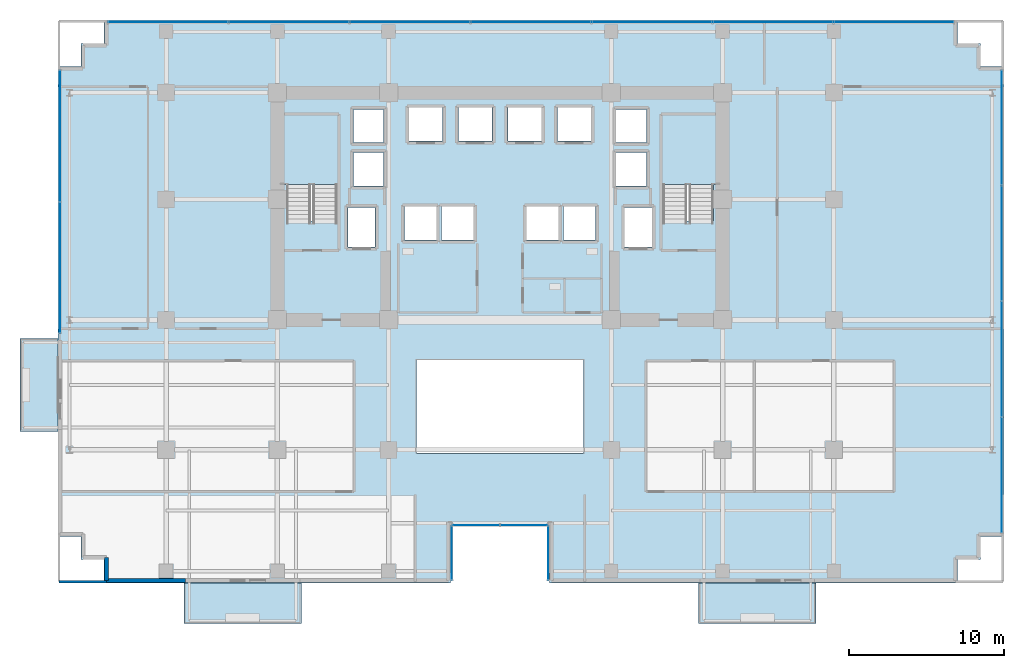
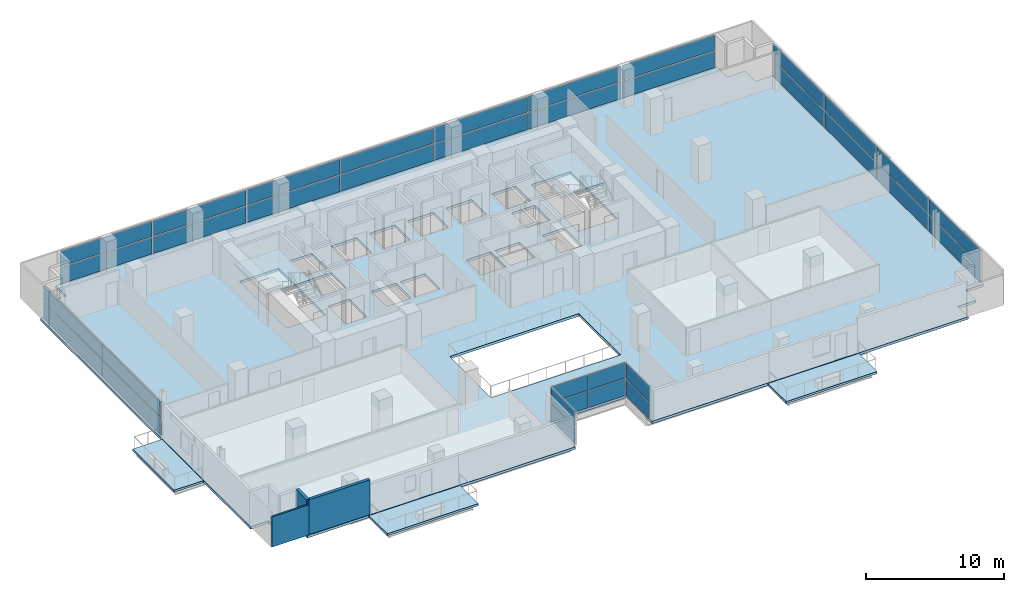
# One storey, part 23 of 31: 34 plates, 6 slabs, 3 walls, 8 elements without a shape of their own.
"""IFC4 building model written with IfcOpenShell, lengths in metres."""

from ifc_helpers import new_model, si_unit, direction, frame, frame_2d, origin, origin_2d, place, context, subcontext, project, spatial, polyline, rectangle, outline, extrude, source, transform, mapped, material, layer, layer_set, type_object, element, aggregate, save


model = new_model("IFC4")

# Units and contexts
model_context = context("Model", 3, precision=1e-05, world=origin(), true_north=direction((0.0, 1.0)))
body_context = subcontext(model_context, "Body", "Model", "MODEL_VIEW")
ifc_project = project(units=[si_unit("LENGTHUNIT", "METRE"), si_unit("AREAUNIT", "SQUARE_METRE"), si_unit("VOLUMEUNIT", "CUBIC_METRE"), si_unit("PLANEANGLEUNIT", "RADIAN"), si_unit("MASSUNIT", "GRAM", prefix="KILO")], contexts=[model_context])

# Site, building, storey
site_placement = place(None, origin())
site = spatial("IfcSite", under=ifc_project, at=site_placement, CompositionType="ELEMENT")
building_placement = place(site_placement, origin())
building = spatial("IfcBuilding", under=site, at=building_placement, Name="Zarnakvel Exchange Tower", CompositionType="ELEMENT")
storey_placement = place(building_placement, frame((0.0, 0.0, 60.39990234375)))
storey = spatial("IfcBuildingStorey", under=building, at=storey_placement, Name="L16", CompositionType="ELEMENT", Elevation=60.39990234375)

# Stair, slab
ifc_material_1 = material(Name="Concrete C40/50", Category="concrete")
stair_type = type_object("IfcStairType", Name="STR-01", PredefinedType="HALF_TURN_STAIR", material=ifc_material_1)
stair_1_placement = place(storey_placement, origin())
stair_1 = element("IfcStair", 1, at=stair_1_placement, inside=storey, type_object=stair_type, Name="L16 Protected Core Exit Stair ST-01", PredefinedType="HALF_TURN_STAIR")
ifc_layer_1 = layer(ifc_material_1, 0.199951171875)
ifc_layer_set_1 = layer_set([ifc_layer_1], Name="Concrete C40/50")
slab_type_1 = type_object("IfcSlabType", Name="LDG-01", PredefinedType="LANDING", material=ifc_layer_set_1)
slab_1_placement = place(storey_placement, frame((0.0, 0.0, 1.4501953125)))
slab_1 = element("IfcSlab", 2, at=slab_1_placement, type_object=slab_type_1, Name="ST-01 landing 1", PredefinedType="LANDING", context=body_context, shape_type="SweptSolid", body=[
    extrude(outline(polyline([(-14.18994140625, 7.570068359375), (-10.4599609375, 7.570068359375), (-10.4599609375, 12.080078125), (-14.18994140625, 12.080078125), (-14.18994140625, 7.570068359375)])), origin(), (0.0, 0.0, 1.0), 0.199951171875),
])
aggregate(stair_1, [slab_1])

stair_2_placement = place(storey_placement, origin())
stair_2 = element("IfcStair", 3, at=stair_2_placement, inside=storey, type_object=stair_type, Name="L16 Protected Core Exit Stair ST-02", PredefinedType="HALF_TURN_STAIR")
slab_2_placement = place(storey_placement, frame((0.0, 0.0, 1.4501953125)))
slab_2 = element("IfcSlab", 4, at=slab_2_placement, type_object=slab_type_1, Name="ST-02 landing 1", PredefinedType="LANDING", context=body_context, shape_type="SweptSolid", body=[
    extrude(outline(polyline([(10.4599609375, 7.570068359375), (14.18994140625, 7.570068359375), (14.18994140625, 12.080078125), (10.4599609375, 12.080078125), (10.4599609375, 7.570068359375)])), origin(), (0.0, 0.0, 1.0), 0.199951171875),
])
aggregate(stair_2, [slab_2])

# Slabs
ifc_layer_2 = layer(ifc_material_1, 0.22509765625)
ifc_layer_set_2 = layer_set([ifc_layer_2], Name="Concrete C40/50")
slab_type_2 = type_object("IfcSlabType", Name="SL-04", PredefinedType="FLOOR", material=ifc_layer_set_2)
slab_3_placement = place(storey_placement, frame((0.0, 0.0, -0.224853515625)))
element("IfcSlab", 5, at=slab_3_placement, inside=storey, type_object=slab_type_2, Name="L16 Primary Structural Floor Slab", PredefinedType="FLOOR", context=body_context, shape_type="SweptSolid", body=[
    extrude(outline(polyline([(-28.60009765625, -15.199951171875), (-27.10009765625, -15.199951171875), (-27.10009765625, -16.699951171875), (-25.60009765625, -16.699951171875), (-25.60009765625, -18.199951171875), (-3.199951171875, -18.199951171875), (-3.199951171875, -14.39990234375), (3.199951171875, -14.39990234375), (3.199951171875, -18.199951171875), (29.60009765625, -18.199951171875), (29.60009765625, -16.699951171875), (31.10009765625, -16.699951171875), (31.10009765625, -15.199951171875), (32.60009765625, -15.199951171875), (32.60009765625, 15.199951171875), (31.10009765625, 15.199951171875), (31.10009765625, 16.699951171875), (29.60009765625, 16.699951171875), (29.60009765625, 18.199951171875), (-25.60009765625, 18.199951171875), (-25.60009765625, 16.699951171875), (-27.10009765625, 16.699951171875), (-27.10009765625, 15.199951171875), (-28.60009765625, 15.199951171875), (-28.60009765625, -15.199951171875)]), holes=[polyline([(-5.39990234375, -9.800048828125), (5.39990234375, -9.800048828125), (5.39990234375, -3.800048828125), (-5.39990234375, -3.800048828125), (-5.39990234375, -9.800048828125)]), polyline([(-13.800048828125, 5.2099609375), (-10.5400390625, 5.2099609375), (-10.5400390625, 12.0), (-13.800048828125, 12.0), (-13.800048828125, 5.2099609375)]), polyline([(10.5400390625, 5.2099609375), (13.800048828125, 5.2099609375), (13.800048828125, 12.0), (10.5400390625, 12.0), (10.5400390625, 5.2099609375)]), polyline([(-9.830078125, 3.52001953125), (-8.070068359375, 3.52001953125), (-8.070068359375, 6.080078125), (-9.830078125, 6.080078125), (-9.830078125, 3.52001953125)]), polyline([(8.070068359375, 3.52001953125), (9.830078125, 3.52001953125), (9.830078125, 6.080078125), (8.070068359375, 6.080078125), (8.070068359375, 3.52001953125)]), polyline([(-5.8798828125, 10.3701171875), (-3.719970703125, 10.3701171875), (-3.719970703125, 12.530029296875), (-5.8798828125, 12.530029296875), (-5.8798828125, 10.3701171875)]), polyline([(-2.679931640625, 10.3701171875), (-0.52001953125, 10.3701171875), (-0.52001953125, 12.530029296875), (-2.679931640625, 12.530029296875), (-2.679931640625, 10.3701171875)]), polyline([(0.52001953125, 10.3701171875), (2.679931640625, 10.3701171875), (2.679931640625, 12.530029296875), (0.52001953125, 12.530029296875), (0.52001953125, 10.3701171875)]), polyline([(3.719970703125, 10.3701171875), (5.8798828125, 10.3701171875), (5.8798828125, 12.530029296875), (3.719970703125, 12.530029296875), (3.719970703125, 10.3701171875)]), polyline([(-6.179931640625, 3.969970703125), (-4.1201171875, 3.969970703125), (-4.1201171875, 6.1298828125), (-6.179931640625, 6.1298828125), (-6.179931640625, 3.969970703125)]), polyline([(-3.780029296875, 3.969970703125), (-1.719970703125, 3.969970703125), (-1.719970703125, 6.1298828125), (-3.780029296875, 6.1298828125), (-3.780029296875, 3.969970703125)]), polyline([(1.719970703125, 3.969970703125), (3.780029296875, 3.969970703125), (3.780029296875, 6.1298828125), (1.719970703125, 6.1298828125), (1.719970703125, 3.969970703125)]), polyline([(4.1201171875, 3.969970703125), (6.179931640625, 3.969970703125), (6.179931640625, 6.1298828125), (4.1201171875, 6.1298828125), (4.1201171875, 3.969970703125)]), polyline([(-9.47998046875, 7.469970703125), (-7.52001953125, 7.469970703125), (-7.52001953125, 9.6298828125), (-9.47998046875, 9.6298828125), (-9.47998046875, 7.469970703125)]), polyline([(-9.47998046875, 10.27001953125), (-7.52001953125, 10.27001953125), (-7.52001953125, 12.429931640625), (-9.47998046875, 12.429931640625), (-9.47998046875, 10.27001953125)]), polyline([(7.52001953125, 7.469970703125), (9.47998046875, 7.469970703125), (9.47998046875, 9.6298828125), (7.52001953125, 9.6298828125), (7.52001953125, 7.469970703125)]), polyline([(7.52001953125, 10.27001953125), (9.47998046875, 10.27001953125), (9.47998046875, 12.429931640625), (7.52001953125, 12.429931640625), (7.52001953125, 10.27001953125)])]), origin(), (0.0, 0.0, 1.0), 0.224853515625),
])
ifc_layer_3 = layer(ifc_material_1, 0.18994140625)
ifc_layer_set_3 = layer_set([ifc_layer_3], Name="Concrete C40/50")
slab_type_3 = type_object("IfcSlabType", Name="SL-08", PredefinedType="USERDEFINED", material=ifc_layer_set_3)
slab_4_placement = place(storey_placement, frame((0.0, 0.0, -0.224853515625)))
element("IfcSlab", 6, at=slab_4_placement, inside=storey, type_object=slab_type_3, Name="L16 Planted Loggia Balcony Slab BAL-L16-SW", ObjectType="BALCONY", PredefinedType="USERDEFINED", context=body_context, shape_type="SweptSolid", body=[
    extrude(outline(polyline([(-20.449951171875, -20.85009765625), (-12.85009765625, -20.85009765625), (-12.85009765625, -18.199951171875), (-20.449951171875, -18.199951171875), (-20.449951171875, -20.85009765625)])), origin(), (0.0, 0.0, 1.0), 0.18994140625),
])
slab_5_placement = place(storey_placement, frame((0.0, 0.0, -0.224853515625)))
element("IfcSlab", 7, at=slab_5_placement, inside=storey, type_object=slab_type_3, Name="L16 Planted Loggia Balcony Slab BAL-L16-SE", ObjectType="BALCONY", PredefinedType="USERDEFINED", context=body_context, shape_type="SweptSolid", body=[
    extrude(outline(polyline([(12.85009765625, -20.85009765625), (20.449951171875, -20.85009765625), (20.449951171875, -18.199951171875), (12.85009765625, -18.199951171875), (12.85009765625, -20.85009765625)])), origin(), (0.0, 0.0, 1.0), 0.18994140625),
])
slab_6_placement = place(storey_placement, frame((0.0, 0.0, -0.224853515625)))
element("IfcSlab", 8, at=slab_6_placement, inside=storey, type_object=slab_type_3, Name="L16 Planted Loggia Balcony Slab BAL-L16-W", ObjectType="BALCONY", PredefinedType="USERDEFINED", context=body_context, shape_type="SweptSolid", body=[
    extrude(outline(polyline([(-31.050048828125, -8.39990234375), (-28.60009765625, -8.39990234375), (-28.60009765625, -2.39990234375), (-31.050048828125, -2.39990234375), (-31.050048828125, -8.39990234375)])), origin(), (0.0, 0.0, 1.0), 0.18994140625),
])

# Curtain wall, plate
ifc_material_2 = material(Name="Architectural Bronze Anodised Aluminium", Category="aluminium")
ifc_layer_4 = layer(ifc_material_2, 0.179931640625)
ifc_layer_set_4 = layer_set([ifc_layer_4], Name="Architectural Bronze Anodised Aluminium")
curtain_wall_type_1 = type_object("IfcCurtainWallType", Name="CW-05", PredefinedType="NOTDEFINED", material=ifc_layer_set_4)
curtain_wall_1_placement = place(storey_placement, origin())
curtain_wall_1 = element("IfcCurtainWall", 9, at=curtain_wall_1_placement, inside=storey, type_object=curtain_wall_type_1, Name="L16 Curtain Wall CW-L16-SLW (CW-05)", PredefinedType="NOTDEFINED")
ifc_material_3 = material(Name="Double Low-E Laminated Vision Glass", Category="glass")
ifc_layer_5 = layer(ifc_material_3, 0.02587890625)
ifc_layer_set_5 = layer_set([ifc_layer_5], Name="Double Low-E Laminated Vision Glass")
plate_type_1 = type_object("IfcPlateType", Name="CWP-05", PredefinedType="CURTAIN_PANEL", material=ifc_layer_set_5)
shared_shape_1 = source(origin(), body_context, "Body", "SweptSolid", [
    extrude(rectangle(XDim=3.4599609375, YDim=0.02587890625, at=origin_2d()), origin(), (0.0, 0.0, 1.0), 1.483642578125),
])
plate_1_placement = place(storey_placement, frame((-3.1201171875, -16.280029296875, 0.0703125), z_axis=(0.0, 0.0, 1.0), x_axis=(0.0, 1.0, 0.0)))
plate_1 = element("IfcPlate", 10, at=plate_1_placement, type_object=plate_type_1, Name="CW-05 panel 1.1", PredefinedType="CURTAIN_PANEL", context=body_context, shape_type="MappedRepresentation", body=[
    mapped(shared_shape_1, transform((0.0, 0.0, 0.0), x_axis=(1.0, 0.0, 0.0), y_axis=(0.0, 1.0, 0.0), z_axis=(0.0, 0.0, 1.0), scale=1.0)),
])

curtain_wall_2_placement = place(storey_placement, origin())
curtain_wall_2 = element("IfcCurtainWall", 11, at=curtain_wall_2_placement, inside=storey, type_object=curtain_wall_type_1, Name="L16 Curtain Wall CW-L16-SLE (CW-05)", PredefinedType="NOTDEFINED")
plate_2_placement = place(storey_placement, frame((3.1201171875, -16.280029296875, 0.0703125), z_axis=(0.0, 0.0, 1.0), x_axis=(0.0, -1.0, 0.0)))
plate_2 = element("IfcPlate", 12, at=plate_2_placement, type_object=plate_type_1, Name="CW-05 panel 1.1", PredefinedType="CURTAIN_PANEL", context=body_context, shape_type="MappedRepresentation", body=[
    mapped(shared_shape_1, transform((0.0, 0.0, 0.0), x_axis=(1.0, 0.0, 0.0), y_axis=(0.0, 1.0, 0.0), z_axis=(0.0, 0.0, 1.0), scale=1.0)),
])

# Plate
shared_shape_2 = source(origin(), body_context, "Body", "SweptSolid", [
    extrude(rectangle(XDim=3.4599609375, YDim=0.02587890625, at=origin_2d()), origin(), (0.0, 0.0, 1.0), 1.361328125),
])
plate_3_placement = place(storey_placement, frame((-3.1201171875, -16.280029296875, 1.623779296875), z_axis=(0.0, 0.0, 1.0), x_axis=(0.0, 1.0, 0.0)))
plate_3 = element("IfcPlate", 13, at=plate_3_placement, type_object=plate_type_1, Name="CW-05 panel 1.2", PredefinedType="CURTAIN_PANEL", context=body_context, shape_type="MappedRepresentation", body=[
    mapped(shared_shape_2, transform((0.0, 0.0, 0.0), x_axis=(1.0, 0.0, 0.0), y_axis=(0.0, 1.0, 0.0), z_axis=(0.0, 0.0, 1.0), scale=1.0)),
])

aggregate(curtain_wall_1, [plate_1, plate_3])

plate_4_placement = place(storey_placement, frame((3.1201171875, -16.280029296875, 1.623779296875), z_axis=(0.0, 0.0, 1.0), x_axis=(0.0, -1.0, 0.0)))
plate_4 = element("IfcPlate", 14, at=plate_4_placement, type_object=plate_type_1, Name="CW-05 panel 1.2", PredefinedType="CURTAIN_PANEL", context=body_context, shape_type="MappedRepresentation", body=[
    mapped(shared_shape_2, transform((0.0, 0.0, 0.0), x_axis=(1.0, 0.0, 0.0), y_axis=(0.0, 1.0, 0.0), z_axis=(0.0, 0.0, 1.0), scale=1.0)),
])

aggregate(curtain_wall_2, [plate_2, plate_4])

# Curtain wall, plates
curtain_wall_3_placement = place(storey_placement, origin())
curtain_wall_3 = element("IfcCurtainWall", 15, at=curtain_wall_3_placement, inside=storey, type_object=curtain_wall_type_1, Name="L16 Curtain Wall CW-L16-SLB (CW-05)", PredefinedType="NOTDEFINED")
shared_shape_3 = source(origin(), body_context, "Body", "SweptSolid", [
    extrude(rectangle(XDim=3.014892578125, YDim=0.02587890625, at=origin_2d()), origin(), (0.0, 0.0, 1.0), 1.483642578125),
])
plate_5_placement = place(storey_placement, frame((-1.54248046875, -14.47998046875, 0.0703125), z_axis=(0.0, 0.0, 1.0), x_axis=(1.0, 0.0, 0.0)))
plate_5 = element("IfcPlate", 16, at=plate_5_placement, type_object=plate_type_1, Name="CW-05 panel 1.1", PredefinedType="CURTAIN_PANEL", context=body_context, shape_type="MappedRepresentation", body=[
    mapped(shared_shape_3, transform((0.0, 0.0, 0.0), x_axis=(1.0, 0.0, 0.0), y_axis=(0.0, 1.0, 0.0), z_axis=(0.0, 0.0, 1.0), scale=1.0)),
])
plate_6_placement = place(storey_placement, frame((1.54248046875, -14.47998046875, 0.0703125), z_axis=(0.0, 0.0, 1.0), x_axis=(1.0, 0.0, 0.0)))
plate_6 = element("IfcPlate", 17, at=plate_6_placement, type_object=plate_type_1, Name="CW-05 panel 2.1", PredefinedType="CURTAIN_PANEL", context=body_context, shape_type="MappedRepresentation", body=[
    mapped(shared_shape_3, transform((0.0, 0.0, 0.0), x_axis=(1.0, 0.0, 0.0), y_axis=(0.0, 1.0, 0.0), z_axis=(0.0, 0.0, 1.0), scale=1.0)),
])
shared_shape_4 = source(origin(), body_context, "Body", "SweptSolid", [
    extrude(rectangle(XDim=3.014892578125, YDim=0.02587890625, at=origin_2d()), origin(), (0.0, 0.0, 1.0), 1.361328125),
])
plate_7_placement = place(storey_placement, frame((-1.54248046875, -14.47998046875, 1.623779296875), z_axis=(0.0, 0.0, 1.0), x_axis=(1.0, 0.0, 0.0)))
plate_7 = element("IfcPlate", 18, at=plate_7_placement, type_object=plate_type_1, Name="CW-05 panel 1.2", PredefinedType="CURTAIN_PANEL", context=body_context, shape_type="MappedRepresentation", body=[
    mapped(shared_shape_4, transform((0.0, 0.0, 0.0), x_axis=(1.0, 0.0, 0.0), y_axis=(0.0, 1.0, 0.0), z_axis=(0.0, 0.0, 1.0), scale=1.0)),
])
plate_8_placement = place(storey_placement, frame((1.54248046875, -14.47998046875, 1.623779296875), z_axis=(0.0, 0.0, 1.0), x_axis=(1.0, 0.0, 0.0)))
plate_8 = element("IfcPlate", 19, at=plate_8_placement, type_object=plate_type_1, Name="CW-05 panel 2.2", PredefinedType="CURTAIN_PANEL", context=body_context, shape_type="MappedRepresentation", body=[
    mapped(shared_shape_4, transform((0.0, 0.0, 0.0), x_axis=(1.0, 0.0, 0.0), y_axis=(0.0, 1.0, 0.0), z_axis=(0.0, 0.0, 1.0), scale=1.0)),
])
aggregate(curtain_wall_3, [plate_5, plate_7, plate_6, plate_8])

ifc_layer_6 = layer(ifc_material_2, 0.239990234375)
ifc_layer_set_6 = layer_set([ifc_layer_6], Name="Architectural Bronze Anodised Aluminium")
curtain_wall_type_2 = type_object("IfcCurtainWallType", Name="CW-02", PredefinedType="NOTDEFINED", material=ifc_layer_set_6)
curtain_wall_4_placement = place(storey_placement, origin())
curtain_wall_4 = element("IfcCurtainWall", 20, at=curtain_wall_4_placement, inside=storey, type_object=curtain_wall_type_2, Name="L16 Curtain Wall CW-L16-N1 (CW-02)", PredefinedType="NOTDEFINED")
ifc_layer_7 = layer(ifc_material_3, 0.031982421875)
ifc_layer_set_7 = layer_set([ifc_layer_7], Name="Double Low-E Laminated Vision Glass")
plate_type_2 = type_object("IfcPlateType", Name="CWP-02", PredefinedType="CURTAIN_PANEL", material=ifc_layer_set_7)
shared_shape_5 = source(origin(), body_context, "Body", "SweptSolid", [
    extrude(rectangle(XDim=7.693603515625, YDim=0.031982421875, at=origin_2d()), origin(), (0.0, 0.0, 1.0), 1.461181640625),
])
plate_9_placement = place(storey_placement, frame((-21.463134765625, 18.06005859375, 0.0849609375), z_axis=(0.0, 0.0, 1.0), x_axis=(1.0, 0.0, 0.0)))
plate_9 = element("IfcPlate", 21, at=plate_9_placement, type_object=plate_type_2, Name="CW-02 panel 1.1", PredefinedType="CURTAIN_PANEL", context=body_context, shape_type="MappedRepresentation", body=[
    mapped(shared_shape_5, transform((0.0, 0.0, 0.0), x_axis=(1.0, 0.0, 0.0), y_axis=(0.0, 1.0, 0.0), z_axis=(0.0, 0.0, 1.0), scale=1.0)),
])
plate_10_placement = place(storey_placement, frame((25.463134765625, 18.06005859375, 0.0849609375), z_axis=(0.0, 0.0, 1.0), x_axis=(1.0, 0.0, 0.0)))
plate_10 = element("IfcPlate", 22, at=plate_10_placement, type_object=plate_type_2, Name="CW-02 panel 7.1", PredefinedType="CURTAIN_PANEL", context=body_context, shape_type="MappedRepresentation", body=[
    mapped(shared_shape_5, transform((0.0, 0.0, 0.0), x_axis=(1.0, 0.0, 0.0), y_axis=(0.0, 1.0, 0.0), z_axis=(0.0, 0.0, 1.0), scale=1.0)),
])
shared_shape_6 = source(origin(), body_context, "Body", "SweptSolid", [
    extrude(rectangle(XDim=7.693603515625, YDim=0.031982421875, at=origin_2d()), origin(), (0.0, 0.0, 1.0), 1.3388671875),
])
plate_11_placement = place(storey_placement, frame((-21.463134765625, 18.06005859375, 1.631103515625), z_axis=(0.0, 0.0, 1.0), x_axis=(1.0, 0.0, 0.0)))
plate_11 = element("IfcPlate", 23, at=plate_11_placement, type_object=plate_type_2, Name="CW-02 panel 1.2", PredefinedType="CURTAIN_PANEL", context=body_context, shape_type="MappedRepresentation", body=[
    mapped(shared_shape_6, transform((0.0, 0.0, 0.0), x_axis=(1.0, 0.0, 0.0), y_axis=(0.0, 1.0, 0.0), z_axis=(0.0, 0.0, 1.0), scale=1.0)),
])
plate_12_placement = place(storey_placement, frame((25.463134765625, 18.06005859375, 1.631103515625), z_axis=(0.0, 0.0, 1.0), x_axis=(1.0, 0.0, 0.0)))
plate_12 = element("IfcPlate", 24, at=plate_12_placement, type_object=plate_type_2, Name="CW-02 panel 7.2", PredefinedType="CURTAIN_PANEL", context=body_context, shape_type="MappedRepresentation", body=[
    mapped(shared_shape_6, transform((0.0, 0.0, 0.0), x_axis=(1.0, 0.0, 0.0), y_axis=(0.0, 1.0, 0.0), z_axis=(0.0, 0.0, 1.0), scale=1.0)),
])
shared_shape_7 = source(origin(), body_context, "Body", "SweptSolid", [
    extrude(rectangle(XDim=7.738525390625, YDim=0.031982421875, at=origin_2d()), origin(), (0.0, 0.0, 1.0), 1.461181640625),
])
plate_13_placement = place(storey_placement, frame((-13.6572265625, 18.06005859375, 0.0849609375), z_axis=(0.0, 0.0, 1.0), x_axis=(1.0, 0.0, 0.0)))
plate_13 = element("IfcPlate", 25, at=plate_13_placement, type_object=plate_type_2, Name="CW-02 panel 2.1", PredefinedType="CURTAIN_PANEL", context=body_context, shape_type="MappedRepresentation", body=[
    mapped(shared_shape_7, transform((0.0, 0.0, 0.0), x_axis=(1.0, 0.0, 0.0), y_axis=(0.0, 1.0, 0.0), z_axis=(0.0, 0.0, 1.0), scale=1.0)),
])
plate_14_placement = place(storey_placement, frame((-5.82861328125, 18.06005859375, 0.0849609375), z_axis=(0.0, 0.0, 1.0), x_axis=(1.0, 0.0, 0.0)))
plate_14 = element("IfcPlate", 26, at=plate_14_placement, type_object=plate_type_2, Name="CW-02 panel 3.1", PredefinedType="CURTAIN_PANEL", context=body_context, shape_type="MappedRepresentation", body=[
    mapped(shared_shape_7, transform((0.0, 0.0, 0.0), x_axis=(1.0, 0.0, 0.0), y_axis=(0.0, 1.0, 0.0), z_axis=(0.0, 0.0, 1.0), scale=1.0)),
])
plate_15_placement = place(storey_placement, frame((2.0, 18.06005859375, 0.0849609375), z_axis=(0.0, 0.0, 1.0), x_axis=(1.0, 0.0, 0.0)))
plate_15 = element("IfcPlate", 27, at=plate_15_placement, type_object=plate_type_2, Name="CW-02 panel 4.1", PredefinedType="CURTAIN_PANEL", context=body_context, shape_type="MappedRepresentation", body=[
    mapped(shared_shape_7, transform((0.0, 0.0, 0.0), x_axis=(1.0, 0.0, 0.0), y_axis=(0.0, 1.0, 0.0), z_axis=(0.0, 0.0, 1.0), scale=1.0)),
])
plate_16_placement = place(storey_placement, frame((9.82861328125, 18.06005859375, 0.0849609375), z_axis=(0.0, 0.0, 1.0), x_axis=(1.0, 0.0, 0.0)))
plate_16 = element("IfcPlate", 28, at=plate_16_placement, type_object=plate_type_2, Name="CW-02 panel 5.1", PredefinedType="CURTAIN_PANEL", context=body_context, shape_type="MappedRepresentation", body=[
    mapped(shared_shape_7, transform((0.0, 0.0, 0.0), x_axis=(1.0, 0.0, 0.0), y_axis=(0.0, 1.0, 0.0), z_axis=(0.0, 0.0, 1.0), scale=1.0)),
])
plate_17_placement = place(storey_placement, frame((17.6572265625, 18.06005859375, 0.0849609375), z_axis=(0.0, 0.0, 1.0), x_axis=(1.0, 0.0, 0.0)))
plate_17 = element("IfcPlate", 29, at=plate_17_placement, type_object=plate_type_2, Name="CW-02 panel 6.1", PredefinedType="CURTAIN_PANEL", context=body_context, shape_type="MappedRepresentation", body=[
    mapped(shared_shape_7, transform((0.0, 0.0, 0.0), x_axis=(1.0, 0.0, 0.0), y_axis=(0.0, 1.0, 0.0), z_axis=(0.0, 0.0, 1.0), scale=1.0)),
])
shared_shape_8 = source(origin(), body_context, "Body", "SweptSolid", [
    extrude(rectangle(XDim=7.738525390625, YDim=0.031982421875, at=origin_2d()), origin(), (0.0, 0.0, 1.0), 1.3388671875),
])
plate_18_placement = place(storey_placement, frame((-13.6572265625, 18.06005859375, 1.631103515625), z_axis=(0.0, 0.0, 1.0), x_axis=(1.0, 0.0, 0.0)))
plate_18 = element("IfcPlate", 30, at=plate_18_placement, type_object=plate_type_2, Name="CW-02 panel 2.2", PredefinedType="CURTAIN_PANEL", context=body_context, shape_type="MappedRepresentation", body=[
    mapped(shared_shape_8, transform((0.0, 0.0, 0.0), x_axis=(1.0, 0.0, 0.0), y_axis=(0.0, 1.0, 0.0), z_axis=(0.0, 0.0, 1.0), scale=1.0)),
])
plate_19_placement = place(storey_placement, frame((-5.82861328125, 18.06005859375, 1.631103515625), z_axis=(0.0, 0.0, 1.0), x_axis=(1.0, 0.0, 0.0)))
plate_19 = element("IfcPlate", 31, at=plate_19_placement, type_object=plate_type_2, Name="CW-02 panel 3.2", PredefinedType="CURTAIN_PANEL", context=body_context, shape_type="MappedRepresentation", body=[
    mapped(shared_shape_8, transform((0.0, 0.0, 0.0), x_axis=(1.0, 0.0, 0.0), y_axis=(0.0, 1.0, 0.0), z_axis=(0.0, 0.0, 1.0), scale=1.0)),
])
plate_20_placement = place(storey_placement, frame((2.0, 18.06005859375, 1.631103515625), z_axis=(0.0, 0.0, 1.0), x_axis=(1.0, 0.0, 0.0)))
plate_20 = element("IfcPlate", 32, at=plate_20_placement, type_object=plate_type_2, Name="CW-02 panel 4.2", PredefinedType="CURTAIN_PANEL", context=body_context, shape_type="MappedRepresentation", body=[
    mapped(shared_shape_8, transform((0.0, 0.0, 0.0), x_axis=(1.0, 0.0, 0.0), y_axis=(0.0, 1.0, 0.0), z_axis=(0.0, 0.0, 1.0), scale=1.0)),
])
plate_21_placement = place(storey_placement, frame((9.82861328125, 18.06005859375, 1.631103515625), z_axis=(0.0, 0.0, 1.0), x_axis=(1.0, 0.0, 0.0)))
plate_21 = element("IfcPlate", 33, at=plate_21_placement, type_object=plate_type_2, Name="CW-02 panel 5.2", PredefinedType="CURTAIN_PANEL", context=body_context, shape_type="MappedRepresentation", body=[
    mapped(shared_shape_8, transform((0.0, 0.0, 0.0), x_axis=(1.0, 0.0, 0.0), y_axis=(0.0, 1.0, 0.0), z_axis=(0.0, 0.0, 1.0), scale=1.0)),
])
plate_22_placement = place(storey_placement, frame((17.6572265625, 18.06005859375, 1.631103515625), z_axis=(0.0, 0.0, 1.0), x_axis=(1.0, 0.0, 0.0)))
plate_22 = element("IfcPlate", 34, at=plate_22_placement, type_object=plate_type_2, Name="CW-02 panel 6.2", PredefinedType="CURTAIN_PANEL", context=body_context, shape_type="MappedRepresentation", body=[
    mapped(shared_shape_8, transform((0.0, 0.0, 0.0), x_axis=(1.0, 0.0, 0.0), y_axis=(0.0, 1.0, 0.0), z_axis=(0.0, 0.0, 1.0), scale=1.0)),
])
aggregate(curtain_wall_4, [plate_9, plate_11, plate_13, plate_18, plate_14, plate_19, plate_15, plate_20, plate_16, plate_21, plate_17, plate_22, plate_10, plate_12])

ifc_layer_8 = layer(ifc_material_2, 0.199951171875)
ifc_layer_set_8 = layer_set([ifc_layer_8], Name="Architectural Bronze Anodised Aluminium")
curtain_wall_type_3 = type_object("IfcCurtainWallType", Name="CW-04", PredefinedType="NOTDEFINED", material=ifc_layer_set_8)
curtain_wall_5_placement = place(storey_placement, origin())
curtain_wall_5 = element("IfcCurtainWall", 35, at=curtain_wall_5_placement, inside=storey, type_object=curtain_wall_type_3, Name="L16 Curtain Wall CW-L16-WN (CW-04)", PredefinedType="NOTDEFINED")
ifc_layer_9 = layer(ifc_material_3, 0.028076171875)
ifc_layer_set_9 = layer_set([ifc_layer_9], Name="Double Low-E Laminated Vision Glass")
plate_type_3 = type_object("IfcPlateType", Name="CWP-04", PredefinedType="CURTAIN_PANEL", material=ifc_layer_set_9)
shared_shape_9 = source(origin(), body_context, "Body", "SweptSolid", [
    extrude(rectangle(XDim=8.4375, YDim=0.028076171875, at=origin_2d()), origin(), (0.0, 0.0, 1.0), 1.47607421875),
])
plate_23_placement = place(storey_placement, frame((-28.4599609375, 2.19384765625, 0.0751953125), z_axis=(0.0, 0.0, 1.0), x_axis=(0.0, 1.0, 0.0)))
plate_23 = element("IfcPlate", 36, at=plate_23_placement, type_object=plate_type_3, Name="CW-04 panel 1.1", PredefinedType="CURTAIN_PANEL", context=body_context, shape_type="MappedRepresentation", body=[
    mapped(shared_shape_9, transform((0.0, 0.0, 0.0), x_axis=(1.0, 0.0, 0.0), y_axis=(0.0, 1.0, 0.0), z_axis=(0.0, 0.0, 1.0), scale=1.0)),
])
plate_24_placement = place(storey_placement, frame((-28.4599609375, 10.706298828125, 0.0751953125), z_axis=(0.0, 0.0, 1.0), x_axis=(0.0, 1.0, 0.0)))
plate_24 = element("IfcPlate", 37, at=plate_24_placement, type_object=plate_type_3, Name="CW-04 panel 2.1", PredefinedType="CURTAIN_PANEL", context=body_context, shape_type="MappedRepresentation", body=[
    mapped(shared_shape_9, transform((0.0, 0.0, 0.0), x_axis=(1.0, 0.0, 0.0), y_axis=(0.0, 1.0, 0.0), z_axis=(0.0, 0.0, 1.0), scale=1.0)),
])
shared_shape_10 = source(origin(), body_context, "Body", "SweptSolid", [
    extrude(rectangle(XDim=8.4375, YDim=0.028076171875, at=origin_2d()), origin(), (0.0, 0.0, 1.0), 1.35400390625),
])
plate_25_placement = place(storey_placement, frame((-28.4599609375, 2.19384765625, 1.626220703125), z_axis=(0.0, 0.0, 1.0), x_axis=(0.0, 1.0, 0.0)))
plate_25 = element("IfcPlate", 38, at=plate_25_placement, type_object=plate_type_3, Name="CW-04 panel 1.2", PredefinedType="CURTAIN_PANEL", context=body_context, shape_type="MappedRepresentation", body=[
    mapped(shared_shape_10, transform((0.0, 0.0, 0.0), x_axis=(1.0, 0.0, 0.0), y_axis=(0.0, 1.0, 0.0), z_axis=(0.0, 0.0, 1.0), scale=1.0)),
])
plate_26_placement = place(storey_placement, frame((-28.4599609375, 10.706298828125, 1.626220703125), z_axis=(0.0, 0.0, 1.0), x_axis=(0.0, 1.0, 0.0)))
plate_26 = element("IfcPlate", 39, at=plate_26_placement, type_object=plate_type_3, Name="CW-04 panel 2.2", PredefinedType="CURTAIN_PANEL", context=body_context, shape_type="MappedRepresentation", body=[
    mapped(shared_shape_10, transform((0.0, 0.0, 0.0), x_axis=(1.0, 0.0, 0.0), y_axis=(0.0, 1.0, 0.0), z_axis=(0.0, 0.0, 1.0), scale=1.0)),
])
aggregate(curtain_wall_5, [plate_23, plate_25, plate_24, plate_26])

curtain_wall_6_placement = place(storey_placement, origin())
curtain_wall_6 = element("IfcCurtainWall", 40, at=curtain_wall_6_placement, inside=storey, type_object=curtain_wall_type_3, Name="L16 Curtain Wall CW-L16-E1 (CW-04)", PredefinedType="NOTDEFINED")
shared_shape_11 = source(origin(), body_context, "Body", "SweptSolid", [
    extrude(rectangle(XDim=7.387451171875, YDim=0.028076171875, at=origin_2d()), origin(), (0.0, 0.0, 1.0), 1.47607421875),
])
plate_27_placement = place(storey_placement, frame((32.4599609375, -11.231201171875, 0.0751953125), z_axis=(0.0, 0.0, 1.0), x_axis=(0.0, 1.0, 0.0)))
plate_27 = element("IfcPlate", 41, at=plate_27_placement, type_object=plate_type_3, Name="CW-04 panel 1.1", PredefinedType="CURTAIN_PANEL", context=body_context, shape_type="MappedRepresentation", body=[
    mapped(shared_shape_11, transform((0.0, 0.0, 0.0), x_axis=(1.0, 0.0, 0.0), y_axis=(0.0, 1.0, 0.0), z_axis=(0.0, 0.0, 1.0), scale=1.0)),
])
plate_28_placement = place(storey_placement, frame((32.4599609375, 11.231201171875, 0.0751953125), z_axis=(0.0, 0.0, 1.0), x_axis=(0.0, 1.0, 0.0)))
plate_28 = element("IfcPlate", 42, at=plate_28_placement, type_object=plate_type_3, Name="CW-04 panel 4.1", PredefinedType="CURTAIN_PANEL", context=body_context, shape_type="MappedRepresentation", body=[
    mapped(shared_shape_11, transform((0.0, 0.0, 0.0), x_axis=(1.0, 0.0, 0.0), y_axis=(0.0, 1.0, 0.0), z_axis=(0.0, 0.0, 1.0), scale=1.0)),
])
shared_shape_12 = source(origin(), body_context, "Body", "SweptSolid", [
    extrude(rectangle(XDim=7.387451171875, YDim=0.028076171875, at=origin_2d()), origin(), (0.0, 0.0, 1.0), 1.35400390625),
])
plate_29_placement = place(storey_placement, frame((32.4599609375, -11.231201171875, 1.626220703125), z_axis=(0.0, 0.0, 1.0), x_axis=(0.0, 1.0, 0.0)))
plate_29 = element("IfcPlate", 43, at=plate_29_placement, type_object=plate_type_3, Name="CW-04 panel 1.2", PredefinedType="CURTAIN_PANEL", context=body_context, shape_type="MappedRepresentation", body=[
    mapped(shared_shape_12, transform((0.0, 0.0, 0.0), x_axis=(1.0, 0.0, 0.0), y_axis=(0.0, 1.0, 0.0), z_axis=(0.0, 0.0, 1.0), scale=1.0)),
])
plate_30_placement = place(storey_placement, frame((32.4599609375, 11.231201171875, 1.626220703125), z_axis=(0.0, 0.0, 1.0), x_axis=(0.0, 1.0, 0.0)))
plate_30 = element("IfcPlate", 44, at=plate_30_placement, type_object=plate_type_3, Name="CW-04 panel 4.2", PredefinedType="CURTAIN_PANEL", context=body_context, shape_type="MappedRepresentation", body=[
    mapped(shared_shape_12, transform((0.0, 0.0, 0.0), x_axis=(1.0, 0.0, 0.0), y_axis=(0.0, 1.0, 0.0), z_axis=(0.0, 0.0, 1.0), scale=1.0)),
])
shared_shape_13 = source(origin(), body_context, "Body", "SweptSolid", [
    extrude(rectangle(XDim=7.425048828125, YDim=0.028076171875, at=origin_2d()), origin(), (0.0, 0.0, 1.0), 1.47607421875),
])
plate_31_placement = place(storey_placement, frame((32.4599609375, -3.75, 0.0751953125), z_axis=(0.0, 0.0, 1.0), x_axis=(0.0, 1.0, 0.0)))
plate_31 = element("IfcPlate", 45, at=plate_31_placement, type_object=plate_type_3, Name="CW-04 panel 2.1", PredefinedType="CURTAIN_PANEL", context=body_context, shape_type="MappedRepresentation", body=[
    mapped(shared_shape_13, transform((0.0, 0.0, 0.0), x_axis=(1.0, 0.0, 0.0), y_axis=(0.0, 1.0, 0.0), z_axis=(0.0, 0.0, 1.0), scale=1.0)),
])
plate_32_placement = place(storey_placement, frame((32.4599609375, 3.75, 0.0751953125), z_axis=(0.0, 0.0, 1.0), x_axis=(0.0, 1.0, 0.0)))
plate_32 = element("IfcPlate", 46, at=plate_32_placement, type_object=plate_type_3, Name="CW-04 panel 3.1", PredefinedType="CURTAIN_PANEL", context=body_context, shape_type="MappedRepresentation", body=[
    mapped(shared_shape_13, transform((0.0, 0.0, 0.0), x_axis=(1.0, 0.0, 0.0), y_axis=(0.0, 1.0, 0.0), z_axis=(0.0, 0.0, 1.0), scale=1.0)),
])
shared_shape_14 = source(origin(), body_context, "Body", "SweptSolid", [
    extrude(rectangle(XDim=7.425048828125, YDim=0.028076171875, at=origin_2d()), origin(), (0.0, 0.0, 1.0), 1.35400390625),
])
plate_33_placement = place(storey_placement, frame((32.4599609375, -3.75, 1.626220703125), z_axis=(0.0, 0.0, 1.0), x_axis=(0.0, 1.0, 0.0)))
plate_33 = element("IfcPlate", 47, at=plate_33_placement, type_object=plate_type_3, Name="CW-04 panel 2.2", PredefinedType="CURTAIN_PANEL", context=body_context, shape_type="MappedRepresentation", body=[
    mapped(shared_shape_14, transform((0.0, 0.0, 0.0), x_axis=(1.0, 0.0, 0.0), y_axis=(0.0, 1.0, 0.0), z_axis=(0.0, 0.0, 1.0), scale=1.0)),
])
plate_34_placement = place(storey_placement, frame((32.4599609375, 3.75, 1.626220703125), z_axis=(0.0, 0.0, 1.0), x_axis=(0.0, 1.0, 0.0)))
plate_34 = element("IfcPlate", 48, at=plate_34_placement, type_object=plate_type_3, Name="CW-04 panel 3.2", PredefinedType="CURTAIN_PANEL", context=body_context, shape_type="MappedRepresentation", body=[
    mapped(shared_shape_14, transform((0.0, 0.0, 0.0), x_axis=(1.0, 0.0, 0.0), y_axis=(0.0, 1.0, 0.0), z_axis=(0.0, 0.0, 1.0), scale=1.0)),
])
aggregate(curtain_wall_6, [plate_27, plate_29, plate_31, plate_33, plate_32, plate_34, plate_28, plate_30])

# Walls
ifc_material_4 = material(Name="Precast concrete C40/50", Category="concrete")
ifc_layer_10 = layer(ifc_material_4, 0.239990234375)
ifc_layer_set_10 = layer_set([ifc_layer_10], Name="Precast concrete C40/50")
wall_type_1 = type_object("IfcWallType", Name="EW-02", PredefinedType="SOLIDWALL", material=ifc_layer_set_10)
wall_1_placement = place(storey_placement, frame((-25.4599609375, -18.06005859375, 0.0), z_axis=(0.0, 0.0, 1.0), x_axis=(1.0, 0.0, 0.0)))
element("IfcWall", 49, at=wall_1_placement, inside=storey, type_object=wall_type_1, Name="L16 Exterior Precast Spandrel Wall EWC-L16-22 (EW-02)", PredefinedType="SOLIDWALL", context=body_context, shape_type="SweptSolid", body=[
    extrude(rectangle(XDim=5.10986328125, YDim=0.239990234375, at=frame_2d((2.554931640625, 0.0))), origin(), (0.0, 0.0, 1.0), 3.0751953125),
])
wall_2_placement = place(storey_placement, frame((-25.4599609375, -16.56005859375, 0.0), z_axis=(0.0, 0.0, 1.0), x_axis=(0.0, -1.0, 0.0)))
element("IfcWall", 50, at=wall_2_placement, inside=storey, type_object=wall_type_1, Name="L16 Exterior Precast Spandrel Wall EWC-L16-23 (EW-02)", PredefinedType="SOLIDWALL", context=body_context, shape_type="SweptSolid", body=[
    extrude(rectangle(XDim=1.5, YDim=0.239990234375, at=frame_2d((0.75, 0.0))), origin(), (0.0, 0.0, 1.0), 3.0751953125),
])
ifc_material_5 = material(Name="Fire-Rated Gypsum Stud Partition", Category="gypsum")
ifc_layer_11 = layer(ifc_material_5, 0.14990234375)
ifc_layer_set_11 = layer_set([ifc_layer_11], Name="Fire-Rated Gypsum Stud Partition")
wall_type_2 = type_object("IfcWallType", Name="PT-01", PredefinedType="PARTITIONING", material=ifc_layer_set_11)
wall_3_placement = place(storey_placement, frame((-25.4599609375, -18.1298828125, 0.0), z_axis=(0.0, 0.0, 1.0), x_axis=(-1.0, 0.0, 0.0)))
element("IfcWall", 51, at=wall_3_placement, inside=storey, type_object=wall_type_2, Name="L16 Partition Wall PWALL-L16-026 (PT-01)", PredefinedType="PARTITIONING", context=body_context, shape_type="SweptSolid", body=[
    extrude(rectangle(XDim=3.070068359375, YDim=0.14990234375, at=frame_2d((1.53515625, 0.0))), origin(), (0.0, 0.0, 1.0), 2.6650390625),
])

save(model, "model.ifc")
